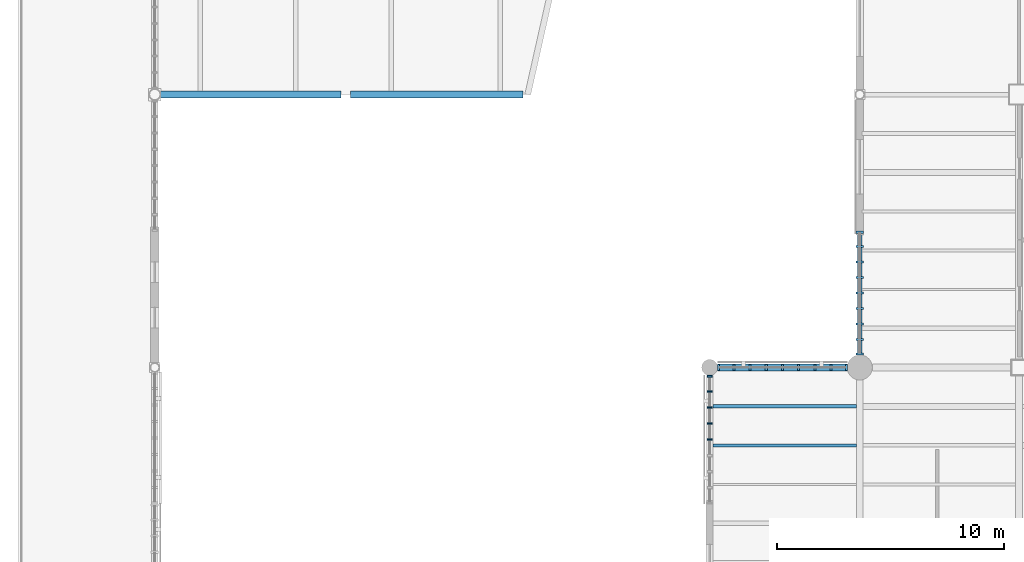
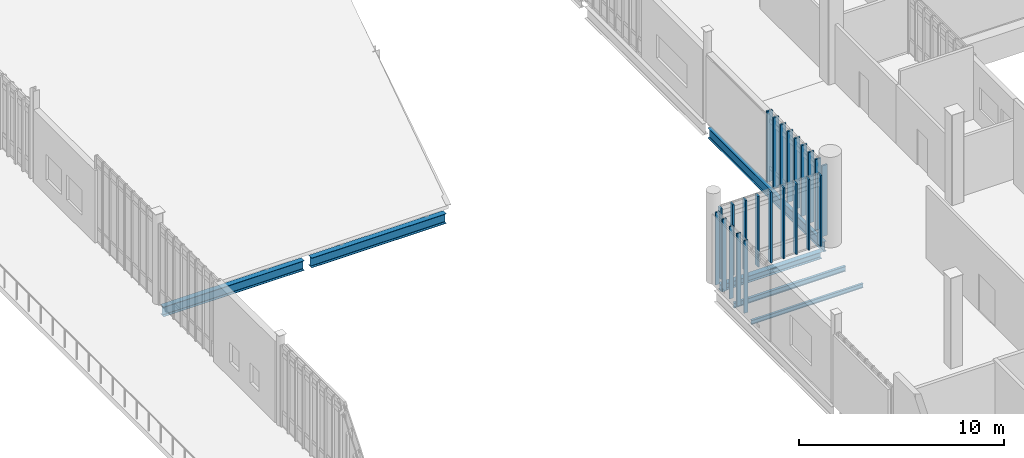
# One storey, part 18 of 135: 23 members, 6 beams, 3 elements without a shape of their own.
"""IFC4 building model written with IfcOpenShell, lengths in metres."""

import ifcopenshell
import ifcopenshell.guid

model = None  # the IFC model being written
_history = None  # IfcOwnerHistory: only IFC2X3 demands one
_inside = {}  # id of a spatial element -> (the spatial element, [elements in it])
_under = {}  # id of a project, library or spatial element -> (it, [spatial elements below it])
_declared = {}  # id of a project -> (the project, [libraries it declares])
_typed = {}  # id of a type object -> (the type object, [elements of that type])
_made_of = {}  # id of a material, layer set ... -> (it, [elements and type objects made of it])


def new_model(schema):
    """Start an empty IFC model of exactly this schema.

    Asked for "IFC4X3", IfcOpenShell would pick the latest addendum, in which some entities
    have other attributes; the version numbers below select the first issue.
    IFC2X3 requires an IfcOwnerHistory on every rooted entity: one is made here for all.
    """
    global model, _history
    if schema == "IFC4X3":
        model = ifcopenshell.file(schema_version=(4, 3, 0, 0))
    else:
        model = ifcopenshell.file(schema=schema)
    _inside.clear()
    _under.clear()
    _declared.clear()
    _typed.clear()
    _made_of.clear()
    _history = None
    if model.schema == "IFC2X3":
        org = make("IfcOrganization", Name="unknown")
        user = make(
            "IfcPersonAndOrganization",
            ThePerson=make("IfcPerson", FamilyName="unknown"),
            TheOrganization=org,
        )
        app = make(
            "IfcApplication",
            ApplicationDeveloper=org,
            Version="unknown",
            ApplicationFullName="unknown",
            ApplicationIdentifier="unknown",
        )
        _history = make(
            "IfcOwnerHistory",
            OwningUser=user,
            OwningApplication=app,
            ChangeAction="ADDED",
            CreationDate=0,
        )
    return model


def make(cls, **values):
    """One entity of the class cls with the attributes given. An attribute that is None is left unset."""
    return model.create_entity(
        cls, **{name: value for name, value in values.items() if value is not None}
    )


def rooted(cls, **values):
    """An entity with a GlobalId (a new one), such as an element, a storey or a relation."""
    return make(cls, GlobalId=ifcopenshell.guid.new(), OwnerHistory=_history, **values)


def si_unit(unit_type, name, prefix=None):
    """IfcSIUnit, for example si_unit("LENGTHUNIT", "METRE", prefix="MILLI")."""
    return make("IfcSIUnit", UnitType=unit_type, Prefix=prefix, Name=name)


def assignment(units):
    """IfcUnitAssignment: the units of a project."""
    return None if units is None else make("IfcUnitAssignment", Units=units)


def point(xyz):
    """IfcCartesianPoint."""
    return None if xyz is None else make("IfcCartesianPoint", Coordinates=xyz)


def direction(xyz):
    """IfcDirection."""
    return None if xyz is None else make("IfcDirection", DirectionRatios=xyz)


def frame(location, z_axis=None, x_axis=None):
    """IfcAxis2Placement3D, a coordinate frame: its origin and axes. An axis left out is left unset."""
    return make(
        "IfcAxis2Placement3D",
        Location=point(location),
        Axis=direction(z_axis),
        RefDirection=direction(x_axis),
    )


def frame_2d(location, x_axis=None):
    """IfcAxis2Placement2D, a coordinate frame in the plane: its origin and x axis."""
    return make(
        "IfcAxis2Placement2D", Location=point(location), RefDirection=direction(x_axis)
    )


def origin():
    """The frame at (0, 0, 0) with its axes left unset."""
    return frame((0.0, 0.0, 0.0))


def origin_2d():
    """The frame at (0, 0) in the plane with its x axis left unset."""
    return frame_2d((0.0, 0.0))


def place(relative_to, where):
    """IfcLocalPlacement: puts the frame where relative to a parent placement (None: the world)."""
    return make(
        "IfcLocalPlacement", PlacementRelTo=relative_to, RelativePlacement=where
    )


def context(
    kind, dimensions, precision=None, world=None, true_north=None, identifier=None
):
    """IfcGeometricRepresentationContext, for example the 3D "Model" context."""
    return make(
        "IfcGeometricRepresentationContext",
        ContextIdentifier=identifier,
        ContextType=kind,
        CoordinateSpaceDimension=dimensions,
        Precision=precision,
        WorldCoordinateSystem=world,
        TrueNorth=true_north,
    )


def subcontext(parent, identifier, kind, view, scale=None):
    """IfcGeometricRepresentationSubContext, for example "Body" below "Model"."""
    return make(
        "IfcGeometricRepresentationSubContext",
        ContextIdentifier=identifier,
        ContextType=kind,
        ParentContext=parent,
        TargetScale=scale,
        TargetView=view,
    )


def project(units=None, contexts=None):
    """IfcProject with its units and contexts."""
    return rooted(
        "IfcProject",
        Name="project",
        RepresentationContexts=contexts,
        UnitsInContext=assignment(units),
    )


def spatial(cls, under=None, at=None, **own):
    """A site, building, storey or space (cls), placed at a placement, below another one or the project."""
    s = rooted(cls, ObjectPlacement=at, **own)
    if under is not None:
        _under.setdefault(under.id(), (under, []))[1].append(s)
    return s


def profile(cls, at=None, kind="AREA", **sizes):
    """A parametric profile (cls). Its sizes go by their IFC names, for example OverallWidth=200.0."""
    return make(cls, ProfileType=kind, Position=at, **sizes)


def rectangle(**sizes):
    """IfcRectangleProfileDef."""
    return profile("IfcRectangleProfileDef", **sizes)


def i_section(**sizes):
    """IfcIShapeProfileDef."""
    return profile("IfcIShapeProfileDef", **sizes)


def extrude(swept, where, along, depth):
    """IfcExtrudedAreaSolid: the profile swept, set in the frame where, extruded along a direction by depth."""
    return make(
        "IfcExtrudedAreaSolid",
        SweptArea=swept,
        Position=where,
        ExtrudedDirection=direction(along),
        Depth=depth,
    )


def shape(context_of_items, identifier, shape_type, items):
    """IfcShapeRepresentation: the items that make up one representation, for example the "Body"."""
    return make(
        "IfcShapeRepresentation",
        ContextOfItems=context_of_items,
        RepresentationIdentifier=identifier,
        RepresentationType=shape_type,
        Items=items,
    )


def material(Name=None, Category=None):
    """IfcMaterial."""
    return make("IfcMaterial", Name=Name, Category=Category)


def material_profile(
    of_material, cross_section, Name=None, Category=None, Priority=None
):
    """IfcMaterialProfile: a cross section and its material."""
    return make(
        "IfcMaterialProfile",
        Name=Name,
        Material=of_material,
        Profile=cross_section,
        Priority=Priority,
        Category=Category,
    )


def profile_set(profiles, Name=None, composite=None):
    """IfcMaterialProfileSet."""
    return make(
        "IfcMaterialProfileSet",
        Name=Name,
        MaterialProfiles=profiles,
        CompositeProfile=composite,
    )


def made_of(thing, what):
    """Note that an element or type object is made of a material, layer set ...; save() writes the relation."""
    if what is not None:
        _made_of.setdefault(what.id(), (what, []))[1].append(thing)
    return thing


def type_object(cls, material=None, **own):
    """A type object (cls), such as IfcWallType, which elements share."""
    return made_of(rooted(cls, **own), material)


def element(
    cls,
    number,
    at=None,
    inside=None,
    cuts=None,
    type_object=None,
    material=None,
    context=None,
    identifier="Body",
    shape_type=None,
    held_by="IfcProductDefinitionShape",
    body=None,
    shapes=None,
    **own,
):
    """One element of the class cls, such as IfcWall. Its Tag is "e" and its number.

    at: its placement. inside: the storey or other place that contains it. cuts: it is an
    opening in that element (IfcRelVoidsElement). A single representation is given by context,
    identifier, shape_type and body (its items); several are given by shapes. held_by: the class
    of the entity that holds the representations. save() writes the other relations.
    """
    e = rooted(cls, Tag="e%d" % number, ObjectPlacement=at, **own)
    if body is not None:
        shapes = [shape(context, identifier, shape_type, body)]
    if shapes is not None:
        e.Representation = make(held_by, Representations=shapes)
    if inside is not None:
        _inside.setdefault(inside.id(), (inside, []))[1].append(e)
    if cuts is not None:
        rooted(
            "IfcRelVoidsElement", RelatingBuildingElement=cuts, RelatedOpeningElement=e
        )
    if type_object is not None:
        _typed.setdefault(type_object.id(), (type_object, []))[1].append(e)
    return made_of(e, material)


def aggregate(whole, parts):
    """IfcRelAggregates: a whole, such as a stair, and the parts it consists of."""
    return rooted("IfcRelAggregates", RelatingObject=whole, RelatedObjects=parts)


def save(model, path):
    """Write the relations noted so far, then the file.

    IfcRelAggregates (storeys below a building ...), IfcRelContainedInSpatialStructure (elements
    in a storey), IfcRelDefinesByType, IfcRelAssociatesMaterial and IfcRelDeclares: one each for
    every whole, place, type object, material and project.
    """
    for whole, parts in _under.values():
        aggregate(whole, parts)
    for where, things in _inside.values():
        rooted(
            "IfcRelContainedInSpatialStructure",
            RelatedElements=things,
            RelatingStructure=where,
        )
    for kind, things in _typed.values():
        rooted("IfcRelDefinesByType", RelatedObjects=things, RelatingType=kind)
    for what, things in _made_of.values():
        rooted("IfcRelAssociatesMaterial", RelatedObjects=things, RelatingMaterial=what)
    for by, libraries in _declared.values():
        rooted("IfcRelDeclares", RelatingContext=by, RelatedDefinitions=libraries)
    model.write(path)


model = new_model("IFC4")

# Units and contexts
model_context = context("Model", 3, precision=1e-05, world=origin(), true_north=direction((0.0, 1.0)))
body_context = subcontext(model_context, "Body", "Model", "MODEL_VIEW")
ifc_project = project(units=[si_unit("LENGTHUNIT", "METRE"), si_unit("AREAUNIT", "SQUARE_METRE"), si_unit("VOLUMEUNIT", "CUBIC_METRE"), si_unit("PLANEANGLEUNIT", "RADIAN"), si_unit("MASSUNIT", "GRAM", prefix="KILO")], contexts=[model_context])

# Site, building, storey
site_placement = place(None, origin())
site = spatial("IfcSite", under=ifc_project, at=site_placement, CompositionType="ELEMENT")
building_placement = place(site_placement, origin())
building = spatial("IfcBuilding", under=site, at=building_placement, Name="Larkvane Passage Sports Hall", CompositionType="ELEMENT")
storey_placement = place(building_placement, frame((0.0, 0.0, 16.800048828125)))
storey = spatial("IfcBuildingStorey", under=building, at=storey_placement, Name="L03", CompositionType="ELEMENT", Elevation=16.800048828125)

# Beams
ifc_material_1 = material(Name="Steel S355JR", Category="steel")
ifc_material_profile_1 = material_profile(ifc_material_1, i_section(OverallWidth=0.300048828125, OverallDepth=0.389892578125, WebThickness=0.010009765625, FlangeThickness=0.01611328125, FilletRadius=0.01806640625, at=origin_2d()), Name="H-390x300x10x16")
ifc_profile_set_1 = profile_set([ifc_material_profile_1], Name="Steel S355JR")
beam_type_1 = type_object("IfcBeamType", Name="BM-STL-H390", PredefinedType="BEAM", material=ifc_profile_set_1)
beam_1_placement = place(storey_placement, frame((118.35009765625, 51.60009765625, -0.53515625), z_axis=(1.0, 0.0, 0.0), x_axis=(0.0, 1.0, 0.0)))
element("IfcBeam", 1, at=beam_1_placement, inside=storey, type_object=beam_type_1, Name="Girder BM5-X-L03-G-0990", PredefinedType="BEAM", context=body_context, shape_type="SweptSolid", body=[
    extrude(i_section(OverallWidth=0.300048828125, OverallDepth=0.389892578125, WebThickness=0.010009765625, FlangeThickness=0.01611328125, FilletRadius=0.01806640625, at=origin_2d()), origin(), (0.0, 0.0, 1.0), 5.699951171875),
])
ifc_material_2 = material(Name="Steel S460N", Category="steel")
ifc_material_profile_2 = material_profile(ifc_material_2, i_section(OverallWidth=0.300048828125, OverallDepth=0.58203125, WebThickness=0.011962890625, FlangeThickness=0.01708984375, FilletRadius=0.02197265625, at=origin_2d()), Name="H-582x300x12x17")
ifc_profile_set_2 = profile_set([ifc_material_profile_2], Name="Steel S460N")
beam_type_2 = type_object("IfcBeamType", Name="BM-STL-H582", PredefinedType="BEAM", material=ifc_profile_set_2)
beam_2_placement = place(storey_placement, frame((93.85400390625, 63.60009765625, -0.631103515625), z_axis=(1.0, 0.0, 0.0), x_axis=(0.0, 1.0, 0.0)))
element("IfcBeam", 2, at=beam_2_placement, inside=storey, type_object=beam_type_2, Name="Girder BM5-X-L03-H-0993", PredefinedType="BEAM", context=body_context, shape_type="SweptSolid", body=[
    extrude(i_section(OverallWidth=0.300048828125, OverallDepth=0.58203125, WebThickness=0.011962890625, FlangeThickness=0.01708984375, FilletRadius=0.02197265625, at=origin_2d()), origin(), (0.0, 0.0, 1.0), 7.943603515625),
])
ifc_material_profile_3 = material_profile(ifc_material_2, i_section(OverallWidth=0.300048828125, OverallDepth=0.587890625, WebThickness=0.011962890625, FlangeThickness=0.02001953125, FilletRadius=0.02197265625, at=origin_2d()), Name="H-588x300x12x20")
ifc_profile_set_3 = profile_set([ifc_material_profile_3], Name="Steel S460N")
beam_type_3 = type_object("IfcBeamType", Name="BM-STL-H588", PredefinedType="BEAM", material=ifc_profile_set_3)
beam_3_placement = place(storey_placement, frame((102.202392578125, 63.60009765625, -0.634033203125), z_axis=(1.0, 0.0, 0.0), x_axis=(0.0, 1.0, 0.0)))
element("IfcBeam", 3, at=beam_3_placement, inside=storey, type_object=beam_type_3, Name="Girder BM5-X-L03-H-0994", PredefinedType="BEAM", context=body_context, shape_type="SweptSolid", body=[
    extrude(i_section(OverallWidth=0.300048828125, OverallDepth=0.587890625, WebThickness=0.011962890625, FlangeThickness=0.02001953125, FilletRadius=0.02197265625, at=origin_2d()), origin(), (0.0, 0.0, 1.0), 7.589111328125),
])
ifc_material_profile_4 = material_profile(ifc_material_1, i_section(OverallWidth=0.199951171875, OverallDepth=0.60009765625, WebThickness=0.010986328125, FlangeThickness=0.01708984375, FilletRadius=0.01806640625, at=origin_2d()), Name="H-600x200x11x17")
ifc_profile_set_4 = profile_set([ifc_material_profile_4], Name="Steel S355JR")
beam_type_4 = type_object("IfcBeamType", Name="BM-STL-H600", PredefinedType="BEAM", material=ifc_profile_set_4)
beam_4_placement = place(storey_placement, frame((124.60009765625, 52.14990234375, -0.64013671875), z_axis=(0.0, 1.0, 0.0), x_axis=(-1.0, 0.0, 0.0)))
element("IfcBeam", 4, at=beam_4_placement, inside=storey, type_object=beam_type_4, Name="Girder BM5-Y-L03-17-1041", PredefinedType="BEAM", context=body_context, shape_type="SweptSolid", body=[
    extrude(i_section(OverallWidth=0.199951171875, OverallDepth=0.60009765625, WebThickness=0.010986328125, FlangeThickness=0.01708984375, FilletRadius=0.01806640625, at=origin_2d()), origin(), (0.0, 0.0, 1.0), 11.246826171875),
])

# Curtain wall, members
ifc_material_3 = material(Name="Thermally broken aluminium and low-E glazing", Category="aluminium")
curtain_wall_type_1 = type_object("IfcCurtainWallType", Name="CW-CLINIC", PredefinedType="USERDEFINED", material=ifc_material_3)
curtain_wall_1_placement = place(storey_placement, origin())
curtain_wall_1 = element("IfcCurtainWall", 5, at=curtain_wall_1_placement, inside=storey, type_object=curtain_wall_type_1, Name="Curtain wall CW5-L03-123", ObjectType="UNITISED CURTAIN WALL", PredefinedType="USERDEFINED")
ifc_material_4 = material(Name="Anodised aluminium 6063-T6", Category="aluminium")
ifc_material_profile_5 = material_profile(ifc_material_4, rectangle(XDim=0.10009765625, YDim=0.320068359375, at=origin_2d()), Name="ALU-MUL-100x320")
ifc_profile_set_5 = profile_set([ifc_material_profile_5], Name="Anodised aluminium 6063-T6")
member_type_1 = type_object("IfcMemberType", Name="CW-MUL-100x320", PredefinedType="MULLION", material=ifc_profile_set_5)
member_1_placement = place(storey_placement, frame((124.60009765625, 52.196044921875, 0.0), z_axis=(0.0, 0.0, 1.0), x_axis=(0.0, 1.0, 0.0)))
member_1 = element("IfcMember", 6, at=member_1_placement, type_object=member_type_1, Name="CW-05 mullion 1", PredefinedType="MULLION", context=body_context, shape_type="SweptSolid", body=[
    extrude(rectangle(XDim=0.10009765625, YDim=0.320068359375, at=origin_2d()), origin(), (0.0, 0.0, 1.0), 4.216064453125),
])
member_2_placement = place(storey_placement, frame((124.60009765625, 52.82763671875, 0.0), z_axis=(0.0, 0.0, 1.0), x_axis=(0.0, 1.0, 0.0)))
member_2 = element("IfcMember", 7, at=member_2_placement, type_object=member_type_1, Name="CW-05 mullion 2", PredefinedType="MULLION", context=body_context, shape_type="SweptSolid", body=[
    extrude(rectangle(XDim=0.10009765625, YDim=0.320068359375, at=origin_2d()), origin(), (0.0, 0.0, 1.0), 4.216064453125),
])
member_3_placement = place(storey_placement, frame((124.60009765625, 53.509521484375, 0.0), z_axis=(0.0, 0.0, 1.0), x_axis=(0.0, 1.0, 0.0)))
member_3 = element("IfcMember", 8, at=member_3_placement, type_object=member_type_1, Name="CW-05 mullion 3", PredefinedType="MULLION", context=body_context, shape_type="SweptSolid", body=[
    extrude(rectangle(XDim=0.10009765625, YDim=0.320068359375, at=origin_2d()), origin(), (0.0, 0.0, 1.0), 4.216064453125),
])
member_4_placement = place(storey_placement, frame((124.60009765625, 54.191162109375, 0.0), z_axis=(0.0, 0.0, 1.0), x_axis=(0.0, 1.0, 0.0)))
member_4 = element("IfcMember", 9, at=member_4_placement, type_object=member_type_1, Name="CW-05 mullion 4", PredefinedType="MULLION", context=body_context, shape_type="SweptSolid", body=[
    extrude(rectangle(XDim=0.10009765625, YDim=0.320068359375, at=origin_2d()), origin(), (0.0, 0.0, 1.0), 4.216064453125),
])
member_5_placement = place(storey_placement, frame((124.60009765625, 54.873046875, 0.0), z_axis=(0.0, 0.0, 1.0), x_axis=(0.0, 1.0, 0.0)))
member_5 = element("IfcMember", 10, at=member_5_placement, type_object=member_type_1, Name="CW-05 mullion 5", PredefinedType="MULLION", context=body_context, shape_type="SweptSolid", body=[
    extrude(rectangle(XDim=0.10009765625, YDim=0.320068359375, at=origin_2d()), origin(), (0.0, 0.0, 1.0), 4.216064453125),
])
member_6_placement = place(storey_placement, frame((124.60009765625, 55.5546875, 0.0), z_axis=(0.0, 0.0, 1.0), x_axis=(0.0, 1.0, 0.0)))
member_6 = element("IfcMember", 11, at=member_6_placement, type_object=member_type_1, Name="CW-05 mullion 6", PredefinedType="MULLION", context=body_context, shape_type="SweptSolid", body=[
    extrude(rectangle(XDim=0.10009765625, YDim=0.320068359375, at=origin_2d()), origin(), (0.0, 0.0, 1.0), 4.216064453125),
])
member_7_placement = place(storey_placement, frame((124.60009765625, 56.236572265625, 0.0), z_axis=(0.0, 0.0, 1.0), x_axis=(0.0, 1.0, 0.0)))
member_7 = element("IfcMember", 12, at=member_7_placement, type_object=member_type_1, Name="CW-05 mullion 7", PredefinedType="MULLION", context=body_context, shape_type="SweptSolid", body=[
    extrude(rectangle(XDim=0.10009765625, YDim=0.320068359375, at=origin_2d()), origin(), (0.0, 0.0, 1.0), 4.216064453125),
])
member_8_placement = place(storey_placement, frame((124.60009765625, 56.918212890625, 0.0), z_axis=(0.0, 0.0, 1.0), x_axis=(0.0, 1.0, 0.0)))
member_8 = element("IfcMember", 13, at=member_8_placement, type_object=member_type_1, Name="CW-05 mullion 8", PredefinedType="MULLION", context=body_context, shape_type="SweptSolid", body=[
    extrude(rectangle(XDim=0.10009765625, YDim=0.320068359375, at=origin_2d()), origin(), (0.0, 0.0, 1.0), 4.216064453125),
])
member_9_placement = place(storey_placement, frame((124.60009765625, 57.550048828125, 0.0), z_axis=(0.0, 0.0, 1.0), x_axis=(0.0, 1.0, 0.0)))
member_9 = element("IfcMember", 14, at=member_9_placement, type_object=member_type_1, Name="CW-05 mullion 9", PredefinedType="MULLION", context=body_context, shape_type="SweptSolid", body=[
    extrude(rectangle(XDim=0.10009765625, YDim=0.320068359375, at=origin_2d()), origin(), (0.0, 0.0, 1.0), 4.216064453125),
])
aggregate(curtain_wall_1, [member_1, member_2, member_3, member_4, member_5, member_6, member_7, member_8, member_9])

curtain_wall_type_2 = type_object("IfcCurtainWallType", Name="CW-UNIT-VEIL", PredefinedType="USERDEFINED", material=ifc_material_3)
curtain_wall_2_placement = place(storey_placement, origin())
curtain_wall_2 = element("IfcCurtainWall", 15, at=curtain_wall_2_placement, inside=storey, type_object=curtain_wall_type_2, Name="Curtain wall CW5-L03-121", ObjectType="UNITISED CURTAIN WALL", PredefinedType="USERDEFINED")
ifc_material_profile_6 = material_profile(ifc_material_4, rectangle(XDim=0.074951171875, YDim=0.22509765625, at=origin_2d()), Name="ALU-MUL-75x225")
ifc_profile_set_6 = profile_set([ifc_material_profile_6], Name="Anodised aluminium 6063-T6")
member_type_2 = type_object("IfcMemberType", Name="CW-MUL-75x225", PredefinedType="MULLION", material=ifc_profile_set_6)
member_10_placement = place(storey_placement, frame((118.0, 48.427001953125, 0.0), z_axis=(0.0, 0.0, 1.0), x_axis=(0.0, 1.0, 0.0)))
member_10 = element("IfcMember", 16, at=member_10_placement, type_object=member_type_2, Name="CW-02 mullion 5", PredefinedType="MULLION", context=body_context, shape_type="SweptSolid", body=[
    extrude(rectangle(XDim=0.074951171875, YDim=0.22509765625, at=origin_2d()), origin(), (0.0, 0.0, 1.0), 4.31591796875),
])
member_11_placement = place(storey_placement, frame((118.0, 49.1337890625, 0.0), z_axis=(0.0, 0.0, 1.0), x_axis=(0.0, 1.0, 0.0)))
member_11 = element("IfcMember", 17, at=member_11_placement, type_object=member_type_2, Name="CW-02 mullion 6", PredefinedType="MULLION", context=body_context, shape_type="SweptSolid", body=[
    extrude(rectangle(XDim=0.074951171875, YDim=0.22509765625, at=origin_2d()), origin(), (0.0, 0.0, 1.0), 4.31591796875),
])
member_12_placement = place(storey_placement, frame((118.0, 49.840576171875, 0.0), z_axis=(0.0, 0.0, 1.0), x_axis=(0.0, 1.0, 0.0)))
member_12 = element("IfcMember", 18, at=member_12_placement, type_object=member_type_2, Name="CW-02 mullion 7", PredefinedType="MULLION", context=body_context, shape_type="SweptSolid", body=[
    extrude(rectangle(XDim=0.074951171875, YDim=0.22509765625, at=origin_2d()), origin(), (0.0, 0.0, 1.0), 4.31591796875),
])
member_13_placement = place(storey_placement, frame((118.0, 50.54736328125, 0.0), z_axis=(0.0, 0.0, 1.0), x_axis=(0.0, 1.0, 0.0)))
member_13 = element("IfcMember", 19, at=member_13_placement, type_object=member_type_2, Name="CW-02 mullion 8", PredefinedType="MULLION", context=body_context, shape_type="SweptSolid", body=[
    extrude(rectangle(XDim=0.074951171875, YDim=0.22509765625, at=origin_2d()), origin(), (0.0, 0.0, 1.0), 4.31591796875),
])
member_14_placement = place(storey_placement, frame((118.0, 51.216552734375, 0.0), z_axis=(0.0, 0.0, 1.0), x_axis=(0.0, 1.0, 0.0)))
member_14 = element("IfcMember", 20, at=member_14_placement, type_object=member_type_2, Name="CW-02 mullion 9", PredefinedType="MULLION", context=body_context, shape_type="SweptSolid", body=[
    extrude(rectangle(XDim=0.074951171875, YDim=0.22509765625, at=origin_2d()), origin(), (0.0, 0.0, 1.0), 4.31591796875),
])
aggregate(curtain_wall_2, [member_10, member_11, member_12, member_13, member_14])

curtain_wall_type_3 = type_object("IfcCurtainWallType", Name="CW-STICK-FOYER", PredefinedType="USERDEFINED", material=ifc_material_3)
curtain_wall_3_placement = place(storey_placement, origin())
curtain_wall_3 = element("IfcCurtainWall", 21, at=curtain_wall_3_placement, inside=storey, type_object=curtain_wall_type_3, Name="Curtain wall CW5-L03-122", ObjectType="STICK CURTAIN WALL", PredefinedType="USERDEFINED")
ifc_material_profile_7 = material_profile(ifc_material_4, rectangle(XDim=0.090087890625, YDim=0.280029296875, at=origin_2d()), Name="ALU-MUL-90x280")
ifc_profile_set_7 = profile_set([ifc_material_profile_7], Name="Anodised aluminium 6063-T6")
member_type_3 = type_object("IfcMemberType", Name="CW-MUL-90x280", PredefinedType="MULLION", material=ifc_profile_set_7)
member_15_placement = place(storey_placement, frame((118.39111328125, 51.60009765625, 0.0), z_axis=(0.0, 0.0, 1.0), x_axis=(1.0, 0.0, 0.0)))
member_15 = element("IfcMember", 22, at=member_15_placement, type_object=member_type_3, Name="CW-03 mullion 1", PredefinedType="MULLION", context=body_context, shape_type="SweptSolid", body=[
    extrude(rectangle(XDim=0.090087890625, YDim=0.280029296875, at=origin_2d()), origin(), (0.0, 0.0, 1.0), 4.216064453125),
])
member_16_placement = place(storey_placement, frame((119.0595703125, 51.60009765625, 0.0), z_axis=(0.0, 0.0, 1.0), x_axis=(1.0, 0.0, 0.0)))
member_16 = element("IfcMember", 23, at=member_16_placement, type_object=member_type_3, Name="CW-03 mullion 2", PredefinedType="MULLION", context=body_context, shape_type="SweptSolid", body=[
    extrude(rectangle(XDim=0.090087890625, YDim=0.280029296875, at=origin_2d()), origin(), (0.0, 0.0, 1.0), 4.216064453125),
])
member_17_placement = place(storey_placement, frame((119.77294921875, 51.60009765625, 0.0), z_axis=(0.0, 0.0, 1.0), x_axis=(1.0, 0.0, 0.0)))
member_17 = element("IfcMember", 24, at=member_17_placement, type_object=member_type_3, Name="CW-03 mullion 3", PredefinedType="MULLION", context=body_context, shape_type="SweptSolid", body=[
    extrude(rectangle(XDim=0.090087890625, YDim=0.280029296875, at=origin_2d()), origin(), (0.0, 0.0, 1.0), 4.216064453125),
])
member_18_placement = place(storey_placement, frame((120.486572265625, 51.60009765625, 0.0), z_axis=(0.0, 0.0, 1.0), x_axis=(1.0, 0.0, 0.0)))
member_18 = element("IfcMember", 25, at=member_18_placement, type_object=member_type_3, Name="CW-03 mullion 4", PredefinedType="MULLION", context=body_context, shape_type="SweptSolid", body=[
    extrude(rectangle(XDim=0.090087890625, YDim=0.280029296875, at=origin_2d()), origin(), (0.0, 0.0, 1.0), 4.216064453125),
])
member_19_placement = place(storey_placement, frame((121.199951171875, 51.60009765625, 0.0), z_axis=(0.0, 0.0, 1.0), x_axis=(1.0, 0.0, 0.0)))
member_19 = element("IfcMember", 26, at=member_19_placement, type_object=member_type_3, Name="CW-03 mullion 5", PredefinedType="MULLION", context=body_context, shape_type="SweptSolid", body=[
    extrude(rectangle(XDim=0.090087890625, YDim=0.280029296875, at=origin_2d()), origin(), (0.0, 0.0, 1.0), 4.216064453125),
])
member_20_placement = place(storey_placement, frame((121.91357421875, 51.60009765625, 0.0), z_axis=(0.0, 0.0, 1.0), x_axis=(1.0, 0.0, 0.0)))
member_20 = element("IfcMember", 27, at=member_20_placement, type_object=member_type_3, Name="CW-03 mullion 6", PredefinedType="MULLION", context=body_context, shape_type="SweptSolid", body=[
    extrude(rectangle(XDim=0.090087890625, YDim=0.280029296875, at=origin_2d()), origin(), (0.0, 0.0, 1.0), 4.216064453125),
])
member_21_placement = place(storey_placement, frame((122.626953125, 51.60009765625, 0.0), z_axis=(0.0, 0.0, 1.0), x_axis=(1.0, 0.0, 0.0)))
member_21 = element("IfcMember", 28, at=member_21_placement, type_object=member_type_3, Name="CW-03 mullion 7", PredefinedType="MULLION", context=body_context, shape_type="SweptSolid", body=[
    extrude(rectangle(XDim=0.090087890625, YDim=0.280029296875, at=origin_2d()), origin(), (0.0, 0.0, 1.0), 4.216064453125),
])
member_22_placement = place(storey_placement, frame((123.340576171875, 51.60009765625, 0.0), z_axis=(0.0, 0.0, 1.0), x_axis=(1.0, 0.0, 0.0)))
member_22 = element("IfcMember", 29, at=member_22_placement, type_object=member_type_3, Name="CW-03 mullion 8", PredefinedType="MULLION", context=body_context, shape_type="SweptSolid", body=[
    extrude(rectangle(XDim=0.090087890625, YDim=0.280029296875, at=origin_2d()), origin(), (0.0, 0.0, 1.0), 4.216064453125),
])
member_23_placement = place(storey_placement, frame((124.009033203125, 51.60009765625, 0.0), z_axis=(0.0, 0.0, 1.0), x_axis=(1.0, 0.0, 0.0)))
member_23 = element("IfcMember", 30, at=member_23_placement, type_object=member_type_3, Name="CW-03 mullion 9", PredefinedType="MULLION", context=body_context, shape_type="SweptSolid", body=[
    extrude(rectangle(XDim=0.090087890625, YDim=0.280029296875, at=origin_2d()), origin(), (0.0, 0.0, 1.0), 4.216064453125),
])
aggregate(curtain_wall_3, [member_15, member_16, member_17, member_18, member_19, member_20, member_21, member_22, member_23])

# Beams
ifc_material_profile_8 = material_profile(ifc_material_1, i_section(OverallWidth=0.125, OverallDepth=0.25, WebThickness=0.006103515625, FlangeThickness=0.009033203125, FilletRadius=0.008056640625, at=origin_2d()), Name="H-250x125x6x9")
ifc_profile_set_8 = profile_set([ifc_material_profile_8], Name="Steel S355JR")
beam_type_5 = type_object("IfcBeamType", Name="JST-STL-H250", PredefinedType="JOIST", material=ifc_profile_set_8)
beam_5_placement = place(storey_placement, frame((118.14990234375, 48.17138671875, -0.465087890625), z_axis=(1.0, 0.0, 0.0), x_axis=(0.0, 1.0, 0.0)))
element("IfcBeam", 31, at=beam_5_placement, inside=storey, type_object=beam_type_5, Name="Composite joist L03 16/F-5", PredefinedType="JOIST", context=body_context, shape_type="SweptSolid", body=[
    extrude(i_section(OverallWidth=0.125, OverallDepth=0.25, WebThickness=0.006103515625, FlangeThickness=0.009033203125, FilletRadius=0.008056640625, at=origin_2d()), origin(), (0.0, 0.0, 1.0), 6.300048828125),
])
ifc_material_profile_9 = material_profile(ifc_material_1, i_section(OverallWidth=0.14990234375, OverallDepth=0.300048828125, WebThickness=0.006591796875, FlangeThickness=0.009033203125, FilletRadius=0.012939453125, at=origin_2d()), Name="H-300x150x6.5x9")
ifc_profile_set_9 = profile_set([ifc_material_profile_9], Name="Steel S355JR")
beam_type_6 = type_object("IfcBeamType", Name="JST-STL-H300", PredefinedType="JOIST", material=ifc_profile_set_9)
beam_6_placement = place(storey_placement, frame((118.14990234375, 49.8857421875, -0.489990234375), z_axis=(1.0, 0.0, 0.0), x_axis=(0.0, 1.0, 0.0)))
element("IfcBeam", 32, at=beam_6_placement, inside=storey, type_object=beam_type_6, Name="Composite joist L03 16/F-6", PredefinedType="JOIST", context=body_context, shape_type="SweptSolid", body=[
    extrude(i_section(OverallWidth=0.14990234375, OverallDepth=0.300048828125, WebThickness=0.006591796875, FlangeThickness=0.009033203125, FilletRadius=0.012939453125, at=origin_2d()), origin(), (0.0, 0.0, 1.0), 6.300048828125),
])

save(model, "model.ifc")
